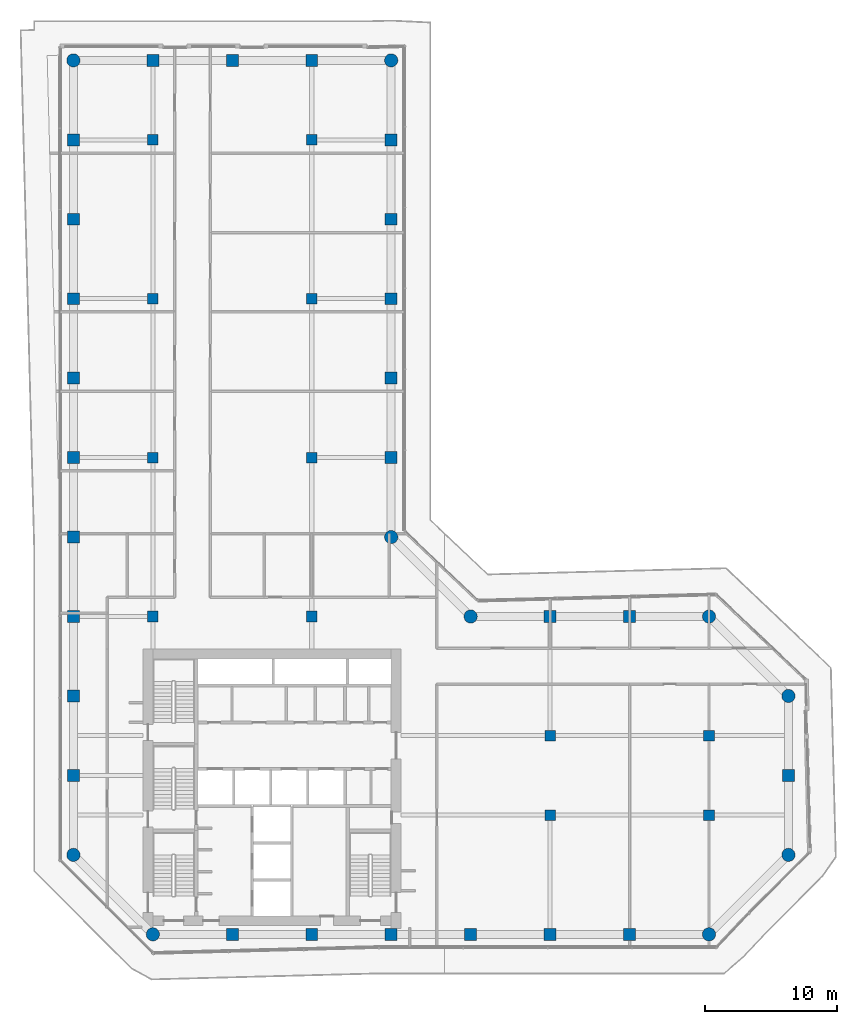
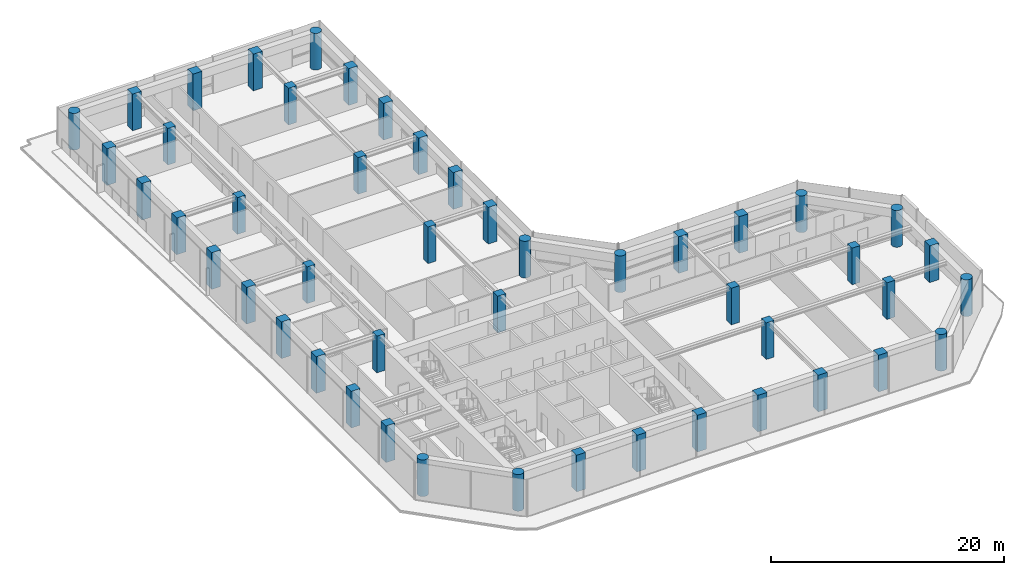
# One storey, part 1 of 23: 48 columns.
"""IFC4 building model written with IfcOpenShell, lengths in metres."""

from ifc_helpers import new_model, si_unit, direction, frame, origin, origin_2d, place, context, subcontext, project, spatial, rectangle, circle, extrude, material, material_profile, profile_set, type_object, element, save


model = new_model("IFC4")

# Units and contexts
model_context = context("Model", 3, precision=1e-05, world=origin(), true_north=direction((0.0, 1.0)))
body_context = subcontext(model_context, "Body", "Model", "MODEL_VIEW")
ifc_project = project(units=[si_unit("LENGTHUNIT", "METRE"), si_unit("AREAUNIT", "SQUARE_METRE"), si_unit("VOLUMEUNIT", "CUBIC_METRE"), si_unit("PLANEANGLEUNIT", "RADIAN"), si_unit("MASSUNIT", "GRAM", prefix="KILO")], contexts=[model_context])

# Site, building, storey
site_placement = place(None, origin())
site = spatial("IfcSite", under=ifc_project, at=site_placement, CompositionType="ELEMENT")
building_placement = place(site_placement, origin())
building = spatial("IfcBuilding", under=site, at=building_placement, Name="Welwitschia Terrace Campus", CompositionType="ELEMENT")
storey_placement = place(building_placement, frame((0.0, 0.0, 104.60009765625)))
storey = spatial("IfcBuildingStorey", under=building, at=storey_placement, Name="L23", CompositionType="ELEMENT", Elevation=104.60009765625)

# Columns
ifc_material_1 = material(Name="Concrete C60/75", Category="concrete")
ifc_material_profile_1 = material_profile(ifc_material_1, circle(Radius=0.5, at=origin_2d()))
ifc_profile_set_1 = profile_set([ifc_material_profile_1], Name="Concrete C60/75")
column_type_1 = type_object("IfcColumnType", Name="Corner column 1000 dia", PredefinedType="COLUMN", material=ifc_profile_set_1)
for number, where, z_axis, x_axis, name in (
    (1, (0.0, 10.0, 0.0), (0.0, 0.0, 1.0), (1.0, 0.0, 0.0), "Column C15"),
    (2, (0.0, 70.0, 0.0), (0.0, 0.0, 1.0), (1.0, 0.0, 0.0), "Column C15"),
    (3, (6.0, 4.0, 0.0), (0.0, 0.0, 1.0), (1.0, 0.0, 0.0), "Column C15"),
    (4, (24.0, 34.0, 0.0), (0.0, 0.0, 1.0), (1.0, 0.0, 0.0), "Column C15"),
    (5, (24.0, 70.0, 0.0), (0.0, 0.0, 1.0), (1.0, 0.0, 0.0), "Column C15"),
    (6, (30.0, 28.0, 0.0), (0.0, 0.0, 1.0), (1.0, 0.0, 0.0), "Column C15"),
    (7, (48.0, 4.0, 0.0), (0.0, 0.0, 1.0), (1.0, 0.0, 0.0), "Column C15"),
    (8, (48.0, 28.0, 0.0), (0.0, 0.0, 1.0), (1.0, 0.0, 0.0), "Column C15"),
    (9, (54.0, 10.0, 0.0), (0.0, 0.0, 1.0), (1.0, 0.0, 0.0), "Column C15"),
    (10, (54.0, 22.0, 0.0), (0.0, 0.0, 1.0), (1.0, 0.0, 0.0), "Column C15"),
):
    element("IfcColumn", number, at=place(storey_placement, frame(where, z_axis=z_axis, x_axis=x_axis)), inside=storey, type_object=column_type_1, Name=name, PredefinedType="COLUMN", context=body_context, shape_type="SweptSolid", body=[
        extrude(circle(Radius=0.5, at=origin_2d()), origin(), (0.0, 0.0, 1.0), 3.849853515625),
    ])
ifc_material_2 = material(Name="Concrete C60/75", Category="concrete")
ifc_material_profile_2 = material_profile(ifc_material_2, rectangle(XDim=0.800048828125, YDim=0.800048828125, at=origin_2d()))
ifc_profile_set_2 = profile_set([ifc_material_profile_2], Name="Concrete C60/75")
column_type_2 = type_object("IfcColumnType", Name="Interior column 800x800", PredefinedType="COLUMN", material=ifc_profile_set_2)
for number, where, z_axis, x_axis, name in (
    (11, (6.0, 28.0, 0.0), (0.0, 0.0, 1.0), (1.0, 0.0, 0.0), "Column C16"),
    (12, (6.0, 40.0, 0.0), (0.0, 0.0, 1.0), (1.0, 0.0, 0.0), "Column C16"),
    (13, (6.0, 52.0, 0.0), (0.0, 0.0, 1.0), (1.0, 0.0, 0.0), "Column C16"),
    (14, (6.0, 64.0, 0.0), (0.0, 0.0, 1.0), (1.0, 0.0, 0.0), "Column C16"),
    (15, (18.0, 28.0, 0.0), (0.0, 0.0, 1.0), (1.0, 0.0, 0.0), "Column C16"),
    (16, (18.0, 40.0, 0.0), (0.0, 0.0, 1.0), (1.0, 0.0, 0.0), "Column C16"),
    (17, (18.0, 52.0, 0.0), (0.0, 0.0, 1.0), (1.0, 0.0, 0.0), "Column C16"),
    (18, (18.0, 64.0, 0.0), (0.0, 0.0, 1.0), (1.0, 0.0, 0.0), "Column C16"),
    (19, (36.0, 13.0, 0.0), (0.0, 0.0, 1.0), (1.0, 0.0, 0.0), "Column C16"),
    (20, (36.0, 19.0, 0.0), (0.0, 0.0, 1.0), (1.0, 0.0, 0.0), "Column C16"),
    (21, (48.0, 13.0, 0.0), (0.0, 0.0, 1.0), (1.0, 0.0, 0.0), "Column C16"),
    (22, (48.0, 19.0, 0.0), (0.0, 0.0, 1.0), (1.0, 0.0, 0.0), "Column C16"),
):
    element("IfcColumn", number, at=place(storey_placement, frame(where, z_axis=z_axis, x_axis=x_axis)), inside=storey, type_object=column_type_2, Name=name, PredefinedType="COLUMN", context=body_context, shape_type="SweptSolid", body=[
        extrude(rectangle(XDim=0.800048828125, YDim=0.800048828125, at=origin_2d()), origin(), (0.0, 0.0, 1.0), 3.849853515625),
    ])
ifc_material_3 = material(Name="Concrete C60/75", Category="concrete")
ifc_material_profile_3 = material_profile(ifc_material_3, rectangle(XDim=0.89990234375, YDim=0.89990234375, at=origin_2d()))
ifc_profile_set_3 = profile_set([ifc_material_profile_3], Name="Concrete C60/75")
column_type_3 = type_object("IfcColumnType", Name="Ring column 900x900", PredefinedType="COLUMN", material=ifc_profile_set_3)
for number, where, z_axis, x_axis, name in (
    (23, (0.0, 16.0, 0.0), (0.0, 0.0, 1.0), (1.0, 0.0, 0.0), "Column C14"),
    (24, (0.0, 22.0, 0.0), (0.0, 0.0, 1.0), (1.0, 0.0, 0.0), "Column C14"),
    (25, (0.0, 28.0, 0.0), (0.0, 0.0, 1.0), (1.0, 0.0, 0.0), "Column C14"),
    (26, (0.0, 34.0, 0.0), (0.0, 0.0, 1.0), (1.0, 0.0, 0.0), "Column C14"),
    (27, (0.0, 40.0, 0.0), (0.0, 0.0, 1.0), (1.0, 0.0, 0.0), "Column C14"),
    (28, (0.0, 46.0, 0.0), (0.0, 0.0, 1.0), (1.0, 0.0, 0.0), "Column C14"),
    (29, (0.0, 52.0, 0.0), (0.0, 0.0, 1.0), (1.0, 0.0, 0.0), "Column C14"),
    (30, (0.0, 58.0, 0.0), (0.0, 0.0, 1.0), (1.0, 0.0, 0.0), "Column C14"),
    (31, (0.0, 64.0, 0.0), (0.0, 0.0, 1.0), (1.0, 0.0, 0.0), "Column C14"),
    (32, (6.0, 70.0, 0.0), (0.0, 0.0, 1.0), (1.0, 0.0, 0.0), "Column C14"),
    (33, (12.0, 4.0, 0.0), (0.0, 0.0, 1.0), (1.0, 0.0, 0.0), "Column C14"),
    (34, (12.0, 70.0, 0.0), (0.0, 0.0, 1.0), (1.0, 0.0, 0.0), "Column C14"),
    (35, (18.0, 4.0, 0.0), (0.0, 0.0, 1.0), (1.0, 0.0, 0.0), "Column C14"),
    (36, (18.0, 70.0, 0.0), (0.0, 0.0, 1.0), (1.0, 0.0, 0.0), "Column C14"),
    (37, (24.0, 4.0, 0.0), (0.0, 0.0, 1.0), (1.0, 0.0, 0.0), "Column C14"),
    (38, (24.0, 40.0, 0.0), (0.0, 0.0, 1.0), (1.0, 0.0, 0.0), "Column C14"),
    (39, (24.0, 46.0, 0.0), (0.0, 0.0, 1.0), (1.0, 0.0, 0.0), "Column C14"),
    (40, (24.0, 52.0, 0.0), (0.0, 0.0, 1.0), (1.0, 0.0, 0.0), "Column C14"),
    (41, (24.0, 58.0, 0.0), (0.0, 0.0, 1.0), (1.0, 0.0, 0.0), "Column C14"),
    (42, (24.0, 64.0, 0.0), (0.0, 0.0, 1.0), (1.0, 0.0, 0.0), "Column C14"),
    (43, (30.0, 4.0, 0.0), (0.0, 0.0, 1.0), (1.0, 0.0, 0.0), "Column C14"),
    (44, (36.0, 4.0, 0.0), (0.0, 0.0, 1.0), (1.0, 0.0, 0.0), "Column C14"),
    (45, (36.0, 28.0, 0.0), (0.0, 0.0, 1.0), (1.0, 0.0, 0.0), "Column C14"),
    (46, (42.0, 4.0, 0.0), (0.0, 0.0, 1.0), (1.0, 0.0, 0.0), "Column C14"),
    (47, (42.0, 28.0, 0.0), (0.0, 0.0, 1.0), (1.0, 0.0, 0.0), "Column C14"),
    (48, (54.0, 16.0, 0.0), (0.0, 0.0, 1.0), (1.0, 0.0, 0.0), "Column C14"),
):
    element("IfcColumn", number, at=place(storey_placement, frame(where, z_axis=z_axis, x_axis=x_axis)), inside=storey, type_object=column_type_3, Name=name, PredefinedType="COLUMN", context=body_context, shape_type="SweptSolid", body=[
        extrude(rectangle(XDim=0.89990234375, YDim=0.89990234375, at=origin_2d()), origin(), (0.0, 0.0, 1.0), 3.849853515625),
    ])

save(model, "model.ifc")
